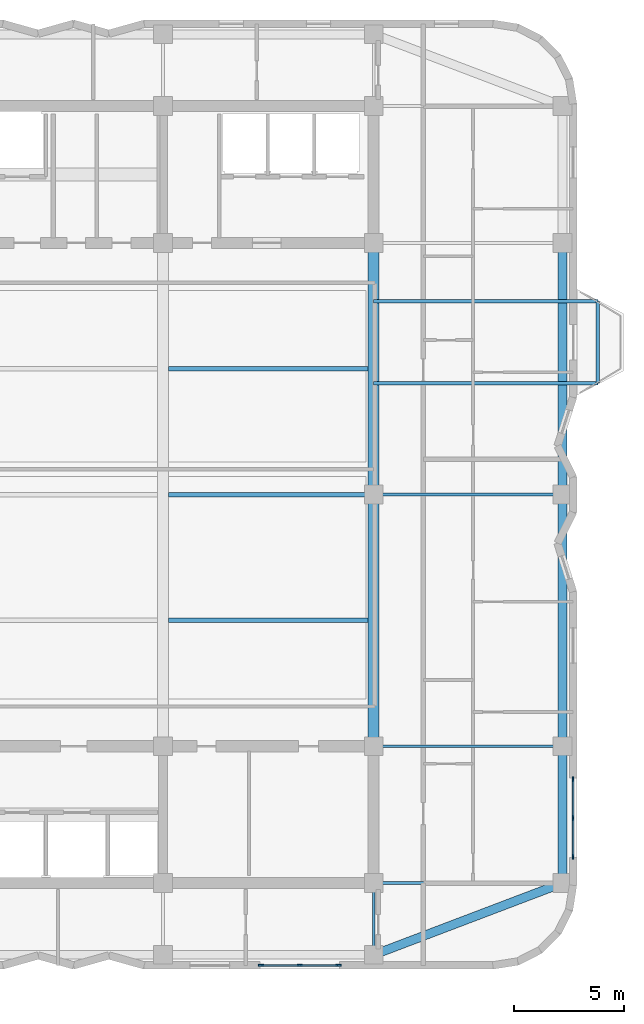
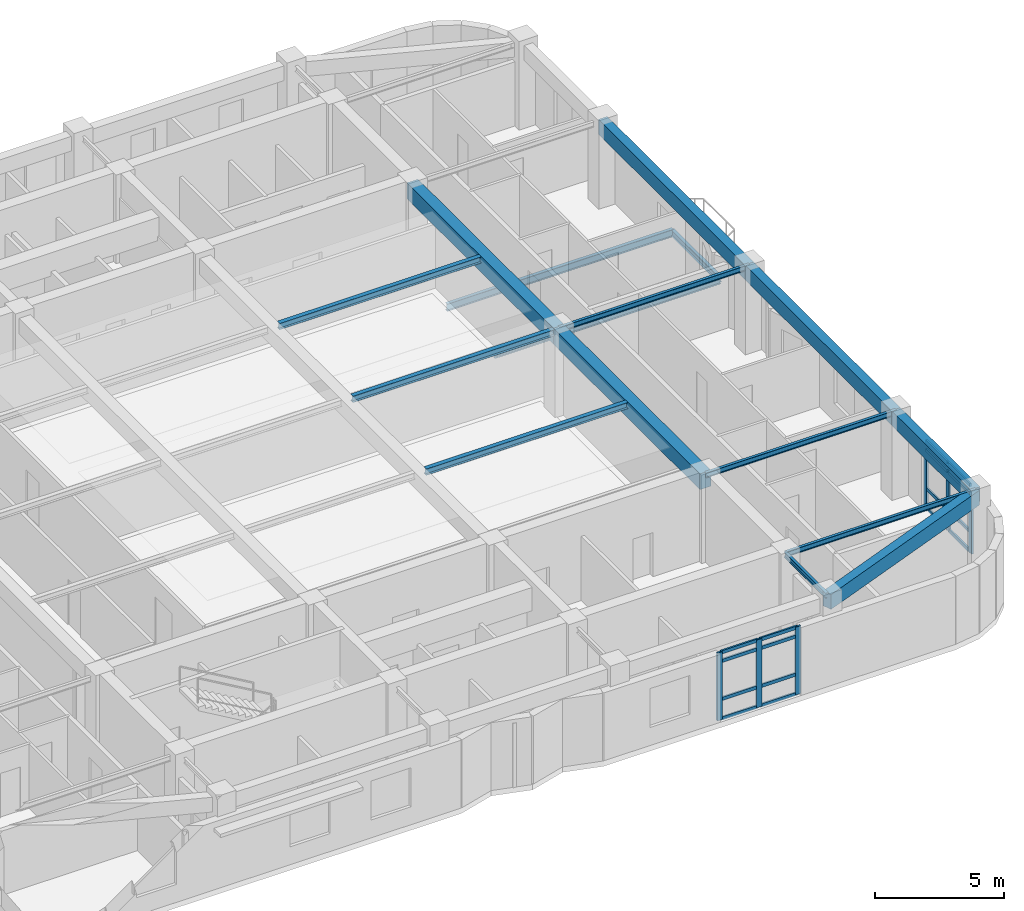
# One storey, part 2 of 11: 22 members, 16 beams, 2 elements without a shape of their own.
"""IFC4 building model written with IfcOpenShell, lengths in metres."""

from ifc_helpers import new_model, si_unit, direction, frame, origin, origin_2d, place, context, subcontext, project, spatial, rectangle, i_section, extrude, material, material_profile, profile_set, type_object, element, aggregate, save


model = new_model("IFC4")

# Units and contexts
model_context = context("Model", 3, precision=1e-05, world=origin(), true_north=direction((0.0, 1.0)))
body_context = subcontext(model_context, "Body", "Model", "MODEL_VIEW")
ifc_project = project(units=[si_unit("LENGTHUNIT", "METRE"), si_unit("AREAUNIT", "SQUARE_METRE"), si_unit("VOLUMEUNIT", "CUBIC_METRE"), si_unit("PLANEANGLEUNIT", "RADIAN"), si_unit("MASSUNIT", "GRAM", prefix="KILO")], contexts=[model_context])

# Site, building, storey
site_placement = place(None, origin())
site = spatial("IfcSite", under=ifc_project, at=site_placement, CompositionType="ELEMENT")
building_placement = place(site_placement, origin())
building = spatial("IfcBuilding", under=site, at=building_placement, Name="Svetorya Sky Lyceum", CompositionType="ELEMENT")
storey_placement = place(building_placement, frame((0.0, 0.0, 203.10009765625)))
storey = spatial("IfcBuildingStorey", under=building, at=storey_placement, Name="L50", CompositionType="ELEMENT", Elevation=203.10009765625)

# Beams
ifc_material_1 = material(Name="Concrete C50/60", Category="concrete")
ifc_material_profile_1 = material_profile(ifc_material_1, rectangle(XDim=0.5, YDim=0.75, at=origin_2d()), Name="RC BEAM 500x750")
ifc_profile_set_1 = profile_set([ifc_material_profile_1], Name="Concrete C50/60")
beam_type_1 = type_object("IfcBeamType", Name="BM-RC-750", PredefinedType="BEAM", material=ifc_profile_set_1)
beam_1_placement = place(storey_placement, frame((52.800048828125, 16.800048828125, 3.56494140625), z_axis=(0.0, 1.0, 0.0), x_axis=(-1.0, 0.0, 0.0)))
element("IfcBeam", 1, at=beam_1_placement, inside=storey, type_object=beam_type_1, Name="L50 Central Bay Primary Girder CG-4A", PredefinedType="BEAM", context=body_context, shape_type="SweptSolid", body=[
    extrude(rectangle(XDim=0.5, YDim=0.75, at=origin_2d()), origin(), (0.0, 0.0, 1.0), 11.39990234375),
])
beam_2_placement = place(storey_placement, frame((52.800048828125, 28.199951171875, 3.56494140625), z_axis=(0.0, 1.0, 0.0), x_axis=(-1.0, 0.0, 0.0)))
element("IfcBeam", 2, at=beam_2_placement, inside=storey, type_object=beam_type_1, Name="L50 Central Bay Primary Girder CG-4B", PredefinedType="BEAM", context=body_context, shape_type="SweptSolid", body=[
    extrude(rectangle(XDim=0.5, YDim=0.75, at=origin_2d()), origin(), (0.0, 0.0, 1.0), 11.400146484375),
])
ifc_material_profile_2 = material_profile(ifc_material_1, rectangle(XDim=0.39990234375, YDim=0.699951171875, at=origin_2d()), Name="RC SPANDREL 400x700")
ifc_profile_set_2 = profile_set([ifc_material_profile_2], Name="Concrete C50/60")
beam_type_2 = type_object("IfcBeamType", Name="BM-SPN-700", PredefinedType="SPANDREL", material=ifc_profile_set_2)
beam_3_placement = place(storey_placement, frame((52.800048828125, 7.35009765625, 3.58984375), z_axis=(0.934747947367, 0.355311518099, 0.0), x_axis=(-0.355311518099, 0.934747947367, 0.0)))
element("IfcBeam", 3, at=beam_3_placement, inside=storey, type_object=beam_type_2, Name="L50 Corner Spandrel 2", PredefinedType="SPANDREL", context=body_context, shape_type="SweptSolid", body=[
    extrude(rectangle(XDim=0.39990234375, YDim=0.699951171875, at=origin_2d()), origin(), (0.0, 0.0, 1.0), 9.14697265625),
])
beam_4_placement = place(storey_placement, frame((61.35009765625, 10.60009765625, 3.58984375), z_axis=(0.0, 1.0, 0.0), x_axis=(-1.0, 0.0, 0.0)))
element("IfcBeam", 4, at=beam_4_placement, inside=storey, type_object=beam_type_2, Name="L50 East Spandrel 1", PredefinedType="SPANDREL", context=body_context, shape_type="SweptSolid", body=[
    extrude(rectangle(XDim=0.39990234375, YDim=0.699951171875, at=origin_2d()), origin(), (0.0, 0.0, 1.0), 6.199951171875),
])
beam_5_placement = place(storey_placement, frame((61.35009765625, 16.800048828125, 3.58984375), z_axis=(0.0, 1.0, 0.0), x_axis=(-1.0, 0.0, 0.0)))
element("IfcBeam", 5, at=beam_5_placement, inside=storey, type_object=beam_type_2, Name="L50 East Spandrel 2", PredefinedType="SPANDREL", context=body_context, shape_type="SweptSolid", body=[
    extrude(rectangle(XDim=0.39990234375, YDim=0.699951171875, at=origin_2d()), origin(), (0.0, 0.0, 1.0), 11.39990234375),
])
beam_6_placement = place(storey_placement, frame((61.35009765625, 28.199951171875, 3.58984375), z_axis=(0.0, 1.0, 0.0), x_axis=(-1.0, 0.0, 0.0)))
element("IfcBeam", 6, at=beam_6_placement, inside=storey, type_object=beam_type_2, Name="L50 East Spandrel 3", PredefinedType="SPANDREL", context=body_context, shape_type="SweptSolid", body=[
    extrude(rectangle(XDim=0.39990234375, YDim=0.699951171875, at=origin_2d()), origin(), (0.0, 0.0, 1.0), 11.400146484375),
])
ifc_material_2 = material(Name="Steel S355", Category="steel")
ifc_material_profile_3 = material_profile(ifc_material_2, i_section(OverallWidth=0.1240234375, OverallDepth=0.248046875, WebThickness=0.006103515625, FlangeThickness=0.009521484375, at=origin_2d()), Name="GOST 25B2")
ifc_profile_set_3 = profile_set([ifc_material_profile_3], Name="Steel S355")
beam_type_3 = type_object("IfcBeamType", Name="BM-STL-25B2", PredefinedType="JOIST", material=ifc_profile_set_3)
for number, where, z_axis, x_axis, name in (
    (7, (52.800048828125, 10.60009765625, 3.81591796875), (1.0, 0.0, 0.0), (0.0, 1.0, 0.0), "L50 East Wing Floor Joist E1"),
    (8, (52.800048828125, 16.800048828125, 3.81591796875), (1.0, 0.0, 0.0), (0.0, 1.0, 0.0), "L50 East Wing Floor Joist E2"),
    (9, (52.800048828125, 28.199951171875, 3.81591796875), (1.0, 0.0, 0.0), (0.0, 1.0, 0.0), "L50 East Wing Floor Joist E3"),
):
    element("IfcBeam", number, at=place(storey_placement, frame(where, z_axis=z_axis, x_axis=x_axis)), inside=storey, type_object=beam_type_3, Name=name, PredefinedType="JOIST", context=body_context, shape_type="SweptSolid", body=[
        extrude(i_section(OverallWidth=0.1240234375, OverallDepth=0.248046875, WebThickness=0.006103515625, FlangeThickness=0.009521484375, at=origin_2d()), origin(), (0.0, 0.0, 1.0), 8.550048828125),
    ])
beam_7_placement = place(storey_placement, frame((52.800048828125, 7.35009765625, 3.81591796875), z_axis=(0.0, 1.0, 0.0), x_axis=(-1.0, 0.0, 0.0)))
element("IfcBeam", 10, at=beam_7_placement, inside=storey, type_object=beam_type_3, Name="L50 South Bay Floor Girder S4", PredefinedType="JOIST", context=body_context, shape_type="SweptSolid", body=[
    extrude(i_section(OverallWidth=0.1240234375, OverallDepth=0.248046875, WebThickness=0.006103515625, FlangeThickness=0.009521484375, at=origin_2d()), origin(), (0.0, 0.0, 1.0), 3.25),
])
ifc_material_profile_4 = material_profile(ifc_material_2, i_section(OverallWidth=0.14990234375, OverallDepth=0.299072265625, WebThickness=0.006591796875, FlangeThickness=0.010498046875, at=origin_2d()), Name="GOST 30B2")
ifc_profile_set_4 = profile_set([ifc_material_profile_4], Name="Steel S355")
beam_type_4 = type_object("IfcBeamType", Name="BM-STL-30B2", PredefinedType="JOIST", material=ifc_profile_set_4)
beam_8_placement = place(storey_placement, frame((62.949951171875, 33.25, -0.4345703125), z_axis=(0.0, 1.0, 0.0), x_axis=(-1.0, 0.0, 0.0)))
element("IfcBeam", 11, at=beam_8_placement, inside=storey, type_object=beam_type_4, Name="L50 Balcony Edge Tie BAL-E1", PredefinedType="JOIST", context=body_context, shape_type="SweptSolid", body=[
    extrude(i_section(OverallWidth=0.14990234375, OverallDepth=0.299072265625, WebThickness=0.006591796875, FlangeThickness=0.010498046875, at=origin_2d()), origin(), (0.0, 0.0, 1.0), 3.699951171875),
])
ifc_material_profile_5 = material_profile(ifc_material_2, i_section(OverallWidth=0.199951171875, OverallDepth=0.298095703125, WebThickness=0.008544921875, FlangeThickness=0.012939453125, at=origin_2d()), Name="GOST 30Sh2")
ifc_profile_set_5 = profile_set([ifc_material_profile_5], Name="Steel S355")
beam_type_5 = type_object("IfcBeamType", Name="BM-STL-30SH2", PredefinedType="BEAM", material=ifc_profile_set_5)
for number, where, z_axis, x_axis, name in (
    (12, (43.5, 22.5, 3.791015625), (1.0, 0.0, 0.0), (0.0, 1.0, 0.0), "L50 Central Floor Joist CJ-1.3"),
    (13, (43.5, 28.199951171875, 3.791015625), (1.0, 0.0, 0.0), (0.0, 1.0, 0.0), "L50 Central Floor Joist CJ-2.3"),
    (14, (43.5, 33.89990234375, 3.791015625), (1.0, 0.0, 0.0), (0.0, 1.0, 0.0), "L50 Central Floor Joist CJ-3.3"),
):
    element("IfcBeam", number, at=place(storey_placement, frame(where, z_axis=z_axis, x_axis=x_axis)), inside=storey, type_object=beam_type_5, Name=name, PredefinedType="BEAM", context=body_context, shape_type="SweptSolid", body=[
        extrude(i_section(OverallWidth=0.199951171875, OverallDepth=0.298095703125, WebThickness=0.008544921875, FlangeThickness=0.012939453125, at=origin_2d()), origin(), (0.0, 0.0, 1.0), 9.050048828125),
    ])
ifc_material_profile_6 = material_profile(ifc_material_2, i_section(OverallWidth=0.155029296875, OverallDepth=0.34912109375, WebThickness=0.007080078125, FlangeThickness=0.011474609375, at=origin_2d()), Name="GOST 35B2")
ifc_profile_set_6 = profile_set([ifc_material_profile_6], Name="Steel S355")
beam_type_6 = type_object("IfcBeamType", Name="BM-STL-35B2", PredefinedType="JOIST", material=ifc_profile_set_6)
for number, where, z_axis, x_axis, name in (
    (15, (52.800048828125, 33.25, -0.4345703125), (1.0, 0.0, 0.0), (0.0, 1.0, 0.0), "L50 Balcony Cantilever Beam BAL-E1-1"),
    (16, (52.800048828125, 36.949951171875, -0.4345703125), (1.0, 0.0, 0.0), (0.0, 1.0, 0.0), "L50 Balcony Cantilever Beam BAL-E1-2"),
):
    element("IfcBeam", number, at=place(storey_placement, frame(where, z_axis=z_axis, x_axis=x_axis)), inside=storey, type_object=beam_type_6, Name=name, PredefinedType="JOIST", context=body_context, shape_type="SweptSolid", body=[
        extrude(i_section(OverallWidth=0.155029296875, OverallDepth=0.34912109375, WebThickness=0.007080078125, FlangeThickness=0.011474609375, at=origin_2d()), origin(), (0.0, 0.0, 1.0), 10.14990234375),
    ])

# Curtain wall, members
ifc_material_3 = material(Name="Thermally broken anodized aluminium and triple low-E glass", Category="aluminium")
curtain_wall_type = type_object("IfcCurtainWallType", Name="CW4-SKY-GALL", PredefinedType="NOTDEFINED", material=ifc_material_3)
curtain_wall_1_placement = place(storey_placement, origin())
curtain_wall_1 = element("IfcCurtainWall", 17, at=curtain_wall_1_placement, inside=storey, type_object=curtain_wall_type, Name="L50 Sky-Lobby Panorama Curtain Wall 11", PredefinedType="NOTDEFINED")
ifc_material_4 = material(Name="Thermally broken anodized aluminium EN AW-6060", Category="aluminium")
ifc_material_profile_7 = material_profile(ifc_material_4, rectangle(XDim=0.0849609375, YDim=0.239990234375, at=origin_2d()), Name="ALU MULLION 85x240")
ifc_profile_set_7 = profile_set([ifc_material_profile_7], Name="Thermally broken anodized aluminium EN AW-6060")
member_type_1 = type_object("IfcMemberType", Name="CWM-MUL-240", PredefinedType="MULLION", material=ifc_profile_set_7)
member_1_placement = place(storey_placement, frame((47.6923828125, 6.8701171875, 0.0), z_axis=(0.0, 0.0, 1.0), x_axis=(0.0, 1.0, 0.0)))
member_1 = element("IfcMember", 18, at=member_1_placement, type_object=member_type_1, Name="CW-4 mullion 1", PredefinedType="MULLION", context=body_context, shape_type="SweptSolid", body=[
    extrude(rectangle(XDim=0.0849609375, YDim=0.239990234375, at=origin_2d()), origin(), (0.0, 0.0, 1.0), 3.219970703125),
])
member_2_placement = place(storey_placement, frame((49.449951171875, 6.8701171875, 0.0), z_axis=(0.0, 0.0, 1.0), x_axis=(0.0, 1.0, 0.0)))
member_2 = element("IfcMember", 19, at=member_2_placement, type_object=member_type_1, Name="CW-4 mullion 2", PredefinedType="MULLION", context=body_context, shape_type="SweptSolid", body=[
    extrude(rectangle(XDim=0.0849609375, YDim=0.239990234375, at=origin_2d()), origin(), (0.0, 0.0, 1.0), 3.219970703125),
])
member_3_placement = place(storey_placement, frame((51.20751953125, 6.8701171875, 0.0), z_axis=(0.0, 0.0, 1.0), x_axis=(0.0, 1.0, 0.0)))
member_3 = element("IfcMember", 20, at=member_3_placement, type_object=member_type_1, Name="CW-4 mullion 3", PredefinedType="MULLION", context=body_context, shape_type="SweptSolid", body=[
    extrude(rectangle(XDim=0.0849609375, YDim=0.239990234375, at=origin_2d()), origin(), (0.0, 0.0, 1.0), 3.219970703125),
])

curtain_wall_2_placement = place(storey_placement, origin())
curtain_wall_2 = element("IfcCurtainWall", 21, at=curtain_wall_2_placement, inside=storey, type_object=curtain_wall_type, Name="L50 Sky-Lobby Panorama Curtain Wall 17", PredefinedType="NOTDEFINED")
member_4_placement = place(storey_placement, frame((61.830078125, 11.79248046875, 0.0), z_axis=(0.0, 0.0, 1.0), x_axis=(-1.0, 0.0, 0.0)))
member_4 = element("IfcMember", 22, at=member_4_placement, type_object=member_type_1, Name="CW-4 mullion 1", PredefinedType="MULLION", context=body_context, shape_type="SweptSolid", body=[
    extrude(rectangle(XDim=0.0849609375, YDim=0.239990234375, at=origin_2d()), origin(), (0.0, 0.0, 1.0), 3.219970703125),
])
member_5_placement = place(storey_placement, frame((61.830078125, 13.550048828125, 0.0), z_axis=(0.0, 0.0, 1.0), x_axis=(-1.0, 0.0, 0.0)))
member_5 = element("IfcMember", 23, at=member_5_placement, type_object=member_type_1, Name="CW-4 mullion 2", PredefinedType="MULLION", context=body_context, shape_type="SweptSolid", body=[
    extrude(rectangle(XDim=0.0849609375, YDim=0.239990234375, at=origin_2d()), origin(), (0.0, 0.0, 1.0), 3.219970703125),
])
member_6_placement = place(storey_placement, frame((61.830078125, 15.3076171875, 0.0), z_axis=(0.0, 0.0, 1.0), x_axis=(-1.0, 0.0, 0.0)))
member_6 = element("IfcMember", 24, at=member_6_placement, type_object=member_type_1, Name="CW-4 mullion 3", PredefinedType="MULLION", context=body_context, shape_type="SweptSolid", body=[
    extrude(rectangle(XDim=0.0849609375, YDim=0.239990234375, at=origin_2d()), origin(), (0.0, 0.0, 1.0), 3.219970703125),
])

# Member
ifc_material_profile_8 = material_profile(ifc_material_4, rectangle(XDim=0.074951171875, YDim=0.159912109375, at=origin_2d()), Name="ALU TRANSOM 75x160")
ifc_profile_set_8 = profile_set([ifc_material_profile_8], Name="Thermally broken anodized aluminium EN AW-6060")
member_type_2 = type_object("IfcMemberType", Name="CWM-TRN-160", PredefinedType="USERDEFINED", material=ifc_profile_set_8)
member_7_placement = place(storey_placement, frame((47.7333984375, 6.8701171875, 0.037353515625), z_axis=(1.0, 0.0, 0.0), x_axis=(0.0, 1.0, 0.0)))
member_7 = element("IfcMember", 25, at=member_7_placement, type_object=member_type_2, Name="CW-4 transom 1.1", ObjectType="TRANSOM", PredefinedType="USERDEFINED", context=body_context, shape_type="SweptSolid", body=[
    extrude(rectangle(XDim=0.074951171875, YDim=0.159912109375, at=origin_2d()), origin(), (0.0, 0.0, 1.0), 1.675537109375),
])

member_8_placement = place(storey_placement, frame((47.7333984375, 6.8701171875, 0.9658203125), z_axis=(1.0, 0.0, 0.0), x_axis=(0.0, 1.0, 0.0)))
member_8 = element("IfcMember", 26, at=member_8_placement, type_object=member_type_2, Name="CW-4 transom 1.2", ObjectType="TRANSOM", PredefinedType="USERDEFINED", context=body_context, shape_type="SweptSolid", body=[
    extrude(rectangle(XDim=0.074951171875, YDim=0.159912109375, at=origin_2d()), origin(), (0.0, 0.0, 1.0), 1.675537109375),
])

member_9_placement = place(storey_placement, frame((47.7333984375, 6.8701171875, 2.77001953125), z_axis=(1.0, 0.0, 0.0), x_axis=(0.0, 1.0, 0.0)))
member_9 = element("IfcMember", 27, at=member_9_placement, type_object=member_type_2, Name="CW-4 transom 1.3", ObjectType="TRANSOM", PredefinedType="USERDEFINED", context=body_context, shape_type="SweptSolid", body=[
    extrude(rectangle(XDim=0.074951171875, YDim=0.159912109375, at=origin_2d()), origin(), (0.0, 0.0, 1.0), 1.675537109375),
])

member_10_placement = place(storey_placement, frame((47.7333984375, 6.8701171875, 3.182373046875), z_axis=(1.0, 0.0, 0.0), x_axis=(0.0, 1.0, 0.0)))
member_10 = element("IfcMember", 28, at=member_10_placement, type_object=member_type_2, Name="CW-4 transom 1.4", ObjectType="TRANSOM", PredefinedType="USERDEFINED", context=body_context, shape_type="SweptSolid", body=[
    extrude(rectangle(XDim=0.074951171875, YDim=0.159912109375, at=origin_2d()), origin(), (0.0, 0.0, 1.0), 1.675537109375),
])

member_11_placement = place(storey_placement, frame((49.490966796875, 6.8701171875, 0.037353515625), z_axis=(1.0, 0.0, 0.0), x_axis=(0.0, 1.0, 0.0)))
member_11 = element("IfcMember", 29, at=member_11_placement, type_object=member_type_2, Name="CW-4 transom 2.1", ObjectType="TRANSOM", PredefinedType="USERDEFINED", context=body_context, shape_type="SweptSolid", body=[
    extrude(rectangle(XDim=0.074951171875, YDim=0.159912109375, at=origin_2d()), origin(), (0.0, 0.0, 1.0), 1.675537109375),
])

member_12_placement = place(storey_placement, frame((49.490966796875, 6.8701171875, 0.9658203125), z_axis=(1.0, 0.0, 0.0), x_axis=(0.0, 1.0, 0.0)))
member_12 = element("IfcMember", 30, at=member_12_placement, type_object=member_type_2, Name="CW-4 transom 2.2", ObjectType="TRANSOM", PredefinedType="USERDEFINED", context=body_context, shape_type="SweptSolid", body=[
    extrude(rectangle(XDim=0.074951171875, YDim=0.159912109375, at=origin_2d()), origin(), (0.0, 0.0, 1.0), 1.675537109375),
])

member_13_placement = place(storey_placement, frame((49.490966796875, 6.8701171875, 2.77001953125), z_axis=(1.0, 0.0, 0.0), x_axis=(0.0, 1.0, 0.0)))
member_13 = element("IfcMember", 31, at=member_13_placement, type_object=member_type_2, Name="CW-4 transom 2.3", ObjectType="TRANSOM", PredefinedType="USERDEFINED", context=body_context, shape_type="SweptSolid", body=[
    extrude(rectangle(XDim=0.074951171875, YDim=0.159912109375, at=origin_2d()), origin(), (0.0, 0.0, 1.0), 1.675537109375),
])

member_14_placement = place(storey_placement, frame((49.490966796875, 6.8701171875, 3.182373046875), z_axis=(1.0, 0.0, 0.0), x_axis=(0.0, 1.0, 0.0)))
member_14 = element("IfcMember", 32, at=member_14_placement, type_object=member_type_2, Name="CW-4 transom 2.4", ObjectType="TRANSOM", PredefinedType="USERDEFINED", context=body_context, shape_type="SweptSolid", body=[
    extrude(rectangle(XDim=0.074951171875, YDim=0.159912109375, at=origin_2d()), origin(), (0.0, 0.0, 1.0), 1.675537109375),
])

aggregate(curtain_wall_1, [member_1, member_2, member_3, member_7, member_8, member_9, member_10, member_11, member_12, member_13, member_14])

member_15_placement = place(storey_placement, frame((61.830078125, 11.83349609375, 0.037353515625), z_axis=(0.0, 1.0, 0.0), x_axis=(-1.0, 0.0, 0.0)))
member_15 = element("IfcMember", 33, at=member_15_placement, type_object=member_type_2, Name="CW-4 transom 1.1", ObjectType="TRANSOM", PredefinedType="USERDEFINED", context=body_context, shape_type="SweptSolid", body=[
    extrude(rectangle(XDim=0.074951171875, YDim=0.159912109375, at=origin_2d()), origin(), (0.0, 0.0, 1.0), 1.675537109375),
])

member_16_placement = place(storey_placement, frame((61.830078125, 11.83349609375, 0.9658203125), z_axis=(0.0, 1.0, 0.0), x_axis=(-1.0, 0.0, 0.0)))
member_16 = element("IfcMember", 34, at=member_16_placement, type_object=member_type_2, Name="CW-4 transom 1.2", ObjectType="TRANSOM", PredefinedType="USERDEFINED", context=body_context, shape_type="SweptSolid", body=[
    extrude(rectangle(XDim=0.074951171875, YDim=0.159912109375, at=origin_2d()), origin(), (0.0, 0.0, 1.0), 1.675537109375),
])

member_17_placement = place(storey_placement, frame((61.830078125, 11.83349609375, 2.77001953125), z_axis=(0.0, 1.0, 0.0), x_axis=(-1.0, 0.0, 0.0)))
member_17 = element("IfcMember", 35, at=member_17_placement, type_object=member_type_2, Name="CW-4 transom 1.3", ObjectType="TRANSOM", PredefinedType="USERDEFINED", context=body_context, shape_type="SweptSolid", body=[
    extrude(rectangle(XDim=0.074951171875, YDim=0.159912109375, at=origin_2d()), origin(), (0.0, 0.0, 1.0), 1.675537109375),
])

member_18_placement = place(storey_placement, frame((61.830078125, 11.83349609375, 3.182373046875), z_axis=(0.0, 1.0, 0.0), x_axis=(-1.0, 0.0, 0.0)))
member_18 = element("IfcMember", 36, at=member_18_placement, type_object=member_type_2, Name="CW-4 transom 1.4", ObjectType="TRANSOM", PredefinedType="USERDEFINED", context=body_context, shape_type="SweptSolid", body=[
    extrude(rectangle(XDim=0.074951171875, YDim=0.159912109375, at=origin_2d()), origin(), (0.0, 0.0, 1.0), 1.675537109375),
])

member_19_placement = place(storey_placement, frame((61.830078125, 13.591064453125, 0.037353515625), z_axis=(0.0, 1.0, 0.0), x_axis=(-1.0, 0.0, 0.0)))
member_19 = element("IfcMember", 37, at=member_19_placement, type_object=member_type_2, Name="CW-4 transom 2.1", ObjectType="TRANSOM", PredefinedType="USERDEFINED", context=body_context, shape_type="SweptSolid", body=[
    extrude(rectangle(XDim=0.074951171875, YDim=0.159912109375, at=origin_2d()), origin(), (0.0, 0.0, 1.0), 1.675537109375),
])

member_20_placement = place(storey_placement, frame((61.830078125, 13.591064453125, 0.9658203125), z_axis=(0.0, 1.0, 0.0), x_axis=(-1.0, 0.0, 0.0)))
member_20 = element("IfcMember", 38, at=member_20_placement, type_object=member_type_2, Name="CW-4 transom 2.2", ObjectType="TRANSOM", PredefinedType="USERDEFINED", context=body_context, shape_type="SweptSolid", body=[
    extrude(rectangle(XDim=0.074951171875, YDim=0.159912109375, at=origin_2d()), origin(), (0.0, 0.0, 1.0), 1.675537109375),
])

member_21_placement = place(storey_placement, frame((61.830078125, 13.591064453125, 2.77001953125), z_axis=(0.0, 1.0, 0.0), x_axis=(-1.0, 0.0, 0.0)))
member_21 = element("IfcMember", 39, at=member_21_placement, type_object=member_type_2, Name="CW-4 transom 2.3", ObjectType="TRANSOM", PredefinedType="USERDEFINED", context=body_context, shape_type="SweptSolid", body=[
    extrude(rectangle(XDim=0.074951171875, YDim=0.159912109375, at=origin_2d()), origin(), (0.0, 0.0, 1.0), 1.675537109375),
])

member_22_placement = place(storey_placement, frame((61.830078125, 13.591064453125, 3.182373046875), z_axis=(0.0, 1.0, 0.0), x_axis=(-1.0, 0.0, 0.0)))
member_22 = element("IfcMember", 40, at=member_22_placement, type_object=member_type_2, Name="CW-4 transom 2.4", ObjectType="TRANSOM", PredefinedType="USERDEFINED", context=body_context, shape_type="SweptSolid", body=[
    extrude(rectangle(XDim=0.074951171875, YDim=0.159912109375, at=origin_2d()), origin(), (0.0, 0.0, 1.0), 1.675537109375),
])

aggregate(curtain_wall_2, [member_4, member_5, member_6, member_15, member_16, member_17, member_18, member_19, member_20, member_21, member_22])

save(model, "model.ifc")
